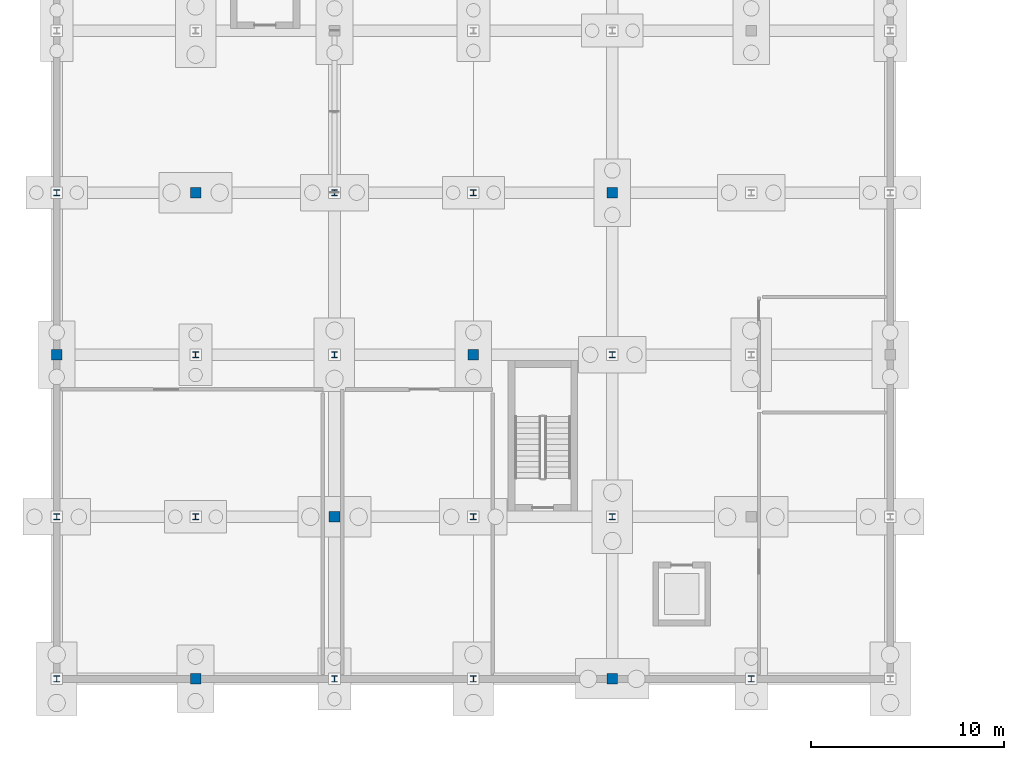
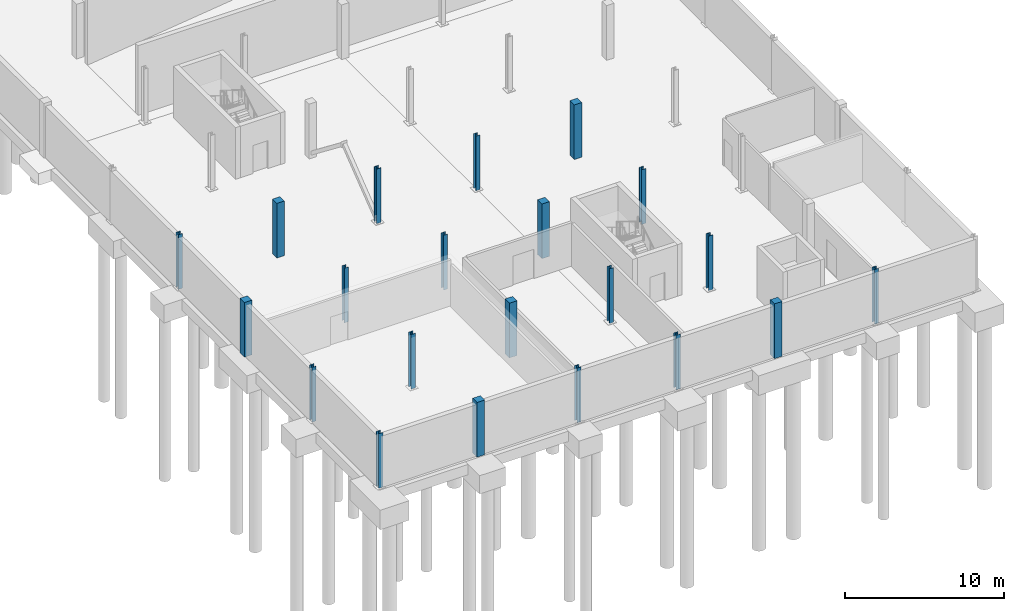
# One storey, part 6 of 32: 21 columns.
"""IFC4 building model written with IfcOpenShell, lengths in metres."""

from ifc_helpers import new_model, si_unit, direction, frame, origin, origin_2d, place, context, subcontext, project, spatial, rectangle, i_section, extrude, material, material_profile, profile_set, type_object, element, save


model = new_model("IFC4")

# Units and contexts
model_context = context("Model", 3, precision=1e-05, world=origin(), true_north=direction((0.0, 1.0)))
body_context = subcontext(model_context, "Body", "Model", "MODEL_VIEW")
ifc_project = project(units=[si_unit("LENGTHUNIT", "METRE"), si_unit("AREAUNIT", "SQUARE_METRE"), si_unit("VOLUMEUNIT", "CUBIC_METRE"), si_unit("PLANEANGLEUNIT", "RADIAN"), si_unit("MASSUNIT", "GRAM", prefix="KILO")], contexts=[model_context])

# Site, building, storey
site_placement = place(None, origin())
site = spatial("IfcSite", under=ifc_project, at=site_placement, CompositionType="ELEMENT")
building_placement = place(site_placement, origin())
building = spatial("IfcBuilding", under=site, at=building_placement, Name="Qelthora Terrace Specialist Clinic", CompositionType="ELEMENT")
storey_placement = place(building_placement, frame((0.0, 0.0, -4.199951171875)))
storey = spatial("IfcBuildingStorey", under=building, at=storey_placement, Name="B1", CompositionType="ELEMENT", Elevation=-4.199951171875)

# Columns
ifc_material_1 = material(Name="Concrete C40/50", Category="concrete")
ifc_material_profile_1 = material_profile(ifc_material_1, rectangle(XDim=0.550048828125, YDim=0.550048828125, at=origin_2d()), Name="RC550X550")
ifc_profile_set_1 = profile_set([ifc_material_profile_1], Name="Concrete C40/50")
column_type_1 = type_object("IfcColumnType", Name="COL-RC550", PredefinedType="COLUMN", material=ifc_profile_set_1)
for number, where, z_axis, x_axis, name in (
    (1, (0.0, 16.800048828125, 0.0), (0.0, 0.0, 1.0), (1.0, 0.0, 0.0), "Column B1-003"),
    (2, (7.199951171875, 0.0, 0.0), (0.0, 0.0, 1.0), (1.0, 0.0, 0.0), "Column B1-015"),
    (3, (7.199951171875, 25.199951171875, 0.0), (0.0, 0.0, 1.0), (1.0, 0.0, 0.0), "Column B1-018"),
    (4, (14.39990234375, 8.39990234375, 0.0), (0.0, 0.0, 1.0), (1.0, 0.0, 0.0), "Column B1-030"),
    (5, (21.60009765625, 16.800048828125, 0.0), (0.0, 0.0, 1.0), (1.0, 0.0, 0.0), "Column B1-045"),
    (6, (28.800048828125, 0.0, 0.0), (0.0, 0.0, 1.0), (1.0, 0.0, 0.0), "Column B1-054"),
    (7, (28.800048828125, 25.199951171875, 0.0), (0.0, 0.0, 1.0), (1.0, 0.0, 0.0), "Column B1-057"),
):
    element("IfcColumn", number, at=place(storey_placement, frame(where, z_axis=z_axis, x_axis=x_axis)), inside=storey, type_object=column_type_1, Name=name, PredefinedType="COLUMN", context=body_context, shape_type="SweptSolid", body=[
        extrude(rectangle(XDim=0.550048828125, YDim=0.550048828125, at=origin_2d()), origin(), (0.0, 0.0, 1.0), 4.199951171875),
    ])
ifc_material_2 = material(Name="Steel S355", Category="steel")
ifc_material_profile_2 = material_profile(ifc_material_2, i_section(OverallWidth=0.30810546875, OverallDepth=0.318115234375, WebThickness=0.01318359375, FlangeThickness=0.0205078125, FilletRadius=0.01611328125, at=origin_2d()), Name="W310X129")
ifc_profile_set_2 = profile_set([ifc_material_profile_2], Name="Steel S355")
column_type_2 = type_object("IfcColumnType", Name="COL-W310X129", PredefinedType="COLUMN", material=ifc_profile_set_2)
for number, where, z_axis, x_axis, name in (
    (8, (0.0, 0.0, 0.0), (0.0, 0.0, 1.0), (1.0, 0.0, 0.0), "Column B1-001"),
    (9, (7.199951171875, 16.800048828125, 0.0), (0.0, 0.0, 1.0), (1.0, 0.0, 0.0), "Column B1-017"),
    (10, (14.39990234375, 0.0, 0.0), (0.0, 0.0, 1.0), (1.0, 0.0, 0.0), "Column B1-029"),
    (11, (14.39990234375, 16.800048828125, 0.0), (0.0, 0.0, 1.0), (1.0, 0.0, 0.0), "Column B1-031"),
    (12, (21.60009765625, 0.0, 0.0), (0.0, 0.0, 1.0), (1.0, 0.0, 0.0), "Column B1-043"),
    (13, (28.800048828125, 8.39990234375, 0.0), (0.0, 0.0, 1.0), (1.0, 0.0, 0.0), "Column B1-055"),
    (14, (36.0, 0.0, 0.0), (0.0, 0.0, 1.0), (1.0, 0.0, 0.0), "Column B1-065"),
):
    element("IfcColumn", number, at=place(storey_placement, frame(where, z_axis=z_axis, x_axis=x_axis)), inside=storey, type_object=column_type_2, Name=name, PredefinedType="COLUMN", context=body_context, shape_type="SweptSolid", body=[
        extrude(i_section(OverallWidth=0.30810546875, OverallDepth=0.318115234375, WebThickness=0.01318359375, FlangeThickness=0.0205078125, FilletRadius=0.01611328125, at=origin_2d()), origin(), (0.0, 0.0, 1.0), 4.199951171875),
    ])
ifc_material_profile_3 = material_profile(ifc_material_2, i_section(OverallWidth=0.30908203125, OverallDepth=0.322998046875, WebThickness=0.013916015625, FlangeThickness=0.02294921875, FilletRadius=0.01611328125, at=origin_2d()), Name="W310X143")
ifc_profile_set_3 = profile_set([ifc_material_profile_3], Name="Steel S355")
column_type_3 = type_object("IfcColumnType", Name="COL-W310X143", PredefinedType="COLUMN", material=ifc_profile_set_3)
for number, where, z_axis, x_axis, name in (
    (15, (0.0, 8.39990234375, 0.0), (0.0, 0.0, 1.0), (1.0, 0.0, 0.0), "Column B1-002"),
    (16, (0.0, 25.199951171875, 0.0), (0.0, 0.0, 1.0), (1.0, 0.0, 0.0), "Column B1-004"),
    (17, (7.199951171875, 8.39990234375, 0.0), (0.0, 0.0, 1.0), (1.0, 0.0, 0.0), "Column B1-016"),
    (18, (14.39990234375, 25.199951171875, 0.0), (0.0, 0.0, 1.0), (1.0, 0.0, 0.0), "Column B1-032"),
    (19, (21.60009765625, 8.39990234375, 0.0), (0.0, 0.0, 1.0), (1.0, 0.0, 0.0), "Column B1-044"),
    (20, (21.60009765625, 25.199951171875, 0.0), (0.0, 0.0, 1.0), (1.0, 0.0, 0.0), "Column B1-046"),
    (21, (28.800048828125, 16.800048828125, 0.0), (0.0, 0.0, 1.0), (1.0, 0.0, 0.0), "Column B1-056"),
):
    element("IfcColumn", number, at=place(storey_placement, frame(where, z_axis=z_axis, x_axis=x_axis)), inside=storey, type_object=column_type_3, Name=name, PredefinedType="COLUMN", context=body_context, shape_type="SweptSolid", body=[
        extrude(i_section(OverallWidth=0.30908203125, OverallDepth=0.322998046875, WebThickness=0.013916015625, FlangeThickness=0.02294921875, FilletRadius=0.01611328125, at=origin_2d()), origin(), (0.0, 0.0, 1.0), 4.199951171875),
    ])

save(model, "model.ifc")
